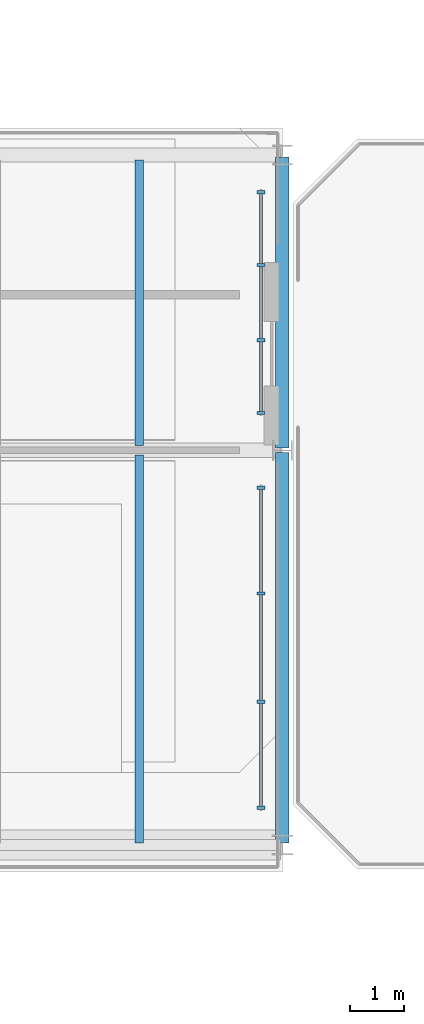
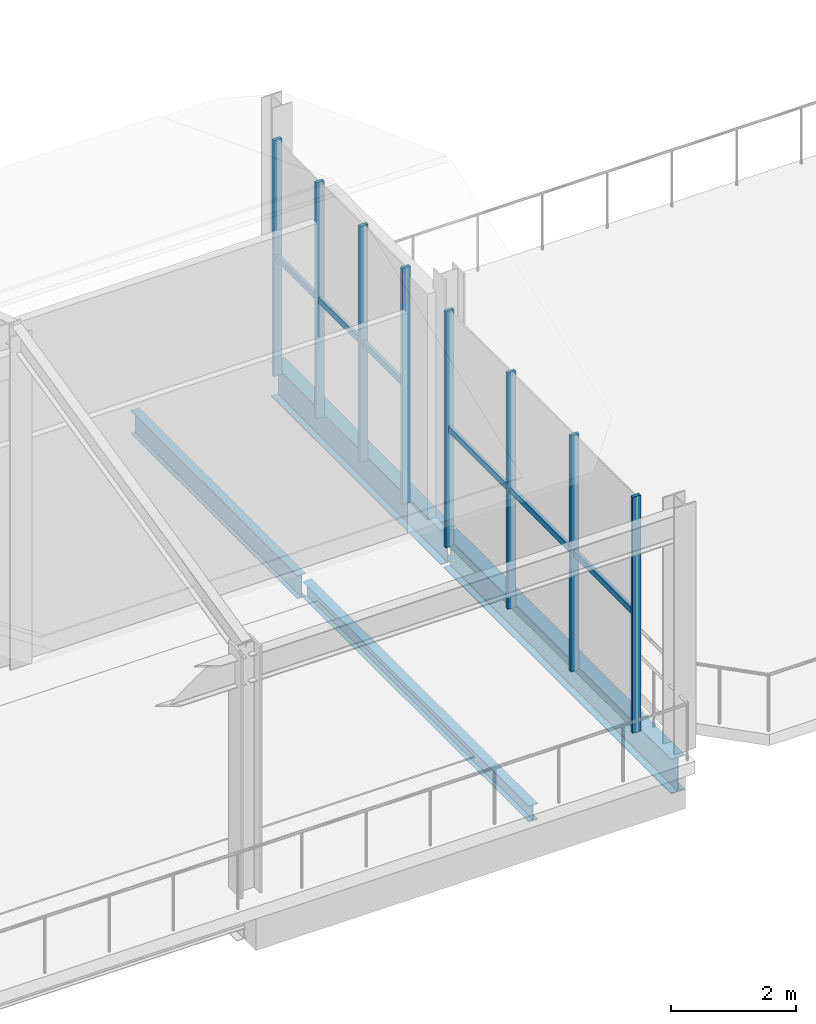
# One storey, part 17 of 30: 14 members, 4 beams, 2 elements without a shape of their own.
"""IFC4 building model written with IfcOpenShell, lengths in metres."""

from ifc_helpers import new_model, si_unit, direction, frame, origin, origin_2d, place, context, subcontext, project, spatial, rectangle, i_section, extrude, material, material_profile, profile_set, type_object, element, aggregate, save


model = new_model("IFC4")

# Units and contexts
model_context = context("Model", 3, precision=1e-05, world=origin(), true_north=direction((0.0, 1.0)))
body_context = subcontext(model_context, "Body", "Model", "MODEL_VIEW")
ifc_project = project(units=[si_unit("LENGTHUNIT", "METRE"), si_unit("AREAUNIT", "SQUARE_METRE"), si_unit("VOLUMEUNIT", "CUBIC_METRE"), si_unit("PLANEANGLEUNIT", "RADIAN"), si_unit("MASSUNIT", "GRAM", prefix="KILO")], contexts=[model_context])

# Site, building, storey
site_placement = place(None, origin())
site = spatial("IfcSite", under=ifc_project, at=site_placement, CompositionType="ELEMENT")
building_placement = place(site_placement, origin())
building = spatial("IfcBuilding", under=site, at=building_placement, Name="Brisemont Oceanarium", CompositionType="ELEMENT")
storey_placement = place(building_placement, frame((0.0, 0.0, 19.800048828125)))
storey = spatial("IfcBuildingStorey", under=building, at=storey_placement, Name="L04", CompositionType="ELEMENT", Elevation=19.800048828125)

# Beams
ifc_material_1 = material(Name="Structural Steel ASTM A992 Gr.50", Category="steel")
ifc_material_profile_1 = material_profile(ifc_material_1, i_section(OverallWidth=0.1650390625, OverallDepth=0.31005859375, WebThickness=0.005859375, FlangeThickness=0.009765625, FilletRadius=0.008056640625, at=origin_2d()), Name="W12X26")
ifc_profile_set_1 = profile_set([ifc_material_profile_1], Name="Structural Steel ASTM A992 Gr.50")
beam_type_1 = type_object("IfcBeamType", Name="BM-W12X26", PredefinedType="JOIST", material=ifc_profile_set_1)
beam_1_placement = place(storey_placement, frame((141.333251953125, 80.68994140625, -0.39501953125), z_axis=(0.0, 1.0, 0.0), x_axis=(-1.0, 0.0, 0.0)))
element("IfcBeam", 1, at=beam_1_placement, inside=storey, type_object=beam_type_1, Name="V6 L04 secondary floor beam", PredefinedType="JOIST", context=body_context, shape_type="SweptSolid", body=[
    extrude(i_section(OverallWidth=0.1650390625, OverallDepth=0.31005859375, WebThickness=0.005859375, FlangeThickness=0.009765625, FilletRadius=0.008056640625, at=origin_2d()), origin(), (0.0, 0.0, 1.0), 7.219970703125),
])
ifc_material_2 = material(Name="Structural Steel ASTM A992 Gr.50", Category="steel")
ifc_material_profile_2 = material_profile(ifc_material_2, i_section(OverallWidth=0.153076171875, OverallDepth=0.455078125, WebThickness=0.008056640625, FlangeThickness=0.01318359375, FilletRadius=0.010986328125, at=origin_2d()), Name="W18X40")
ifc_profile_set_2 = profile_set([ifc_material_profile_2], Name="Structural Steel ASTM A992 Gr.50")
beam_type_2 = type_object("IfcBeamType", Name="BM-W18X40", PredefinedType="JOIST", material=ifc_profile_set_2)
beam_2_placement = place(storey_placement, frame((141.333251953125, 88.090087890625, -0.467529296875), z_axis=(0.0, 1.0, 0.0), x_axis=(-1.0, 0.0, 0.0)))
element("IfcBeam", 2, at=beam_2_placement, inside=storey, type_object=beam_type_2, Name="V6 L04 secondary floor beam", PredefinedType="JOIST", context=body_context, shape_type="SweptSolid", body=[
    extrude(i_section(OverallWidth=0.153076171875, OverallDepth=0.455078125, WebThickness=0.008056640625, FlangeThickness=0.01318359375, FilletRadius=0.010986328125, at=origin_2d()), origin(), (0.0, 0.0, 1.0), 5.31982421875),
])
ifc_material_3 = material(Name="Structural Steel ASTM A992 Gr.50", Category="steel")
ifc_material_profile_3 = material_profile(ifc_material_3, i_section(OverallWidth=0.2529296875, OverallDepth=0.677978515625, WebThickness=0.01171875, FlangeThickness=0.016357421875, FilletRadius=0.014892578125, at=origin_2d()), Name="W27X84")
ifc_profile_set_3 = profile_set([ifc_material_profile_3], Name="Structural Steel ASTM A992 Gr.50")
beam_type_3 = type_object("IfcBeamType", Name="BM-W27X84", PredefinedType="BEAM", material=ifc_profile_set_3)
beam_3_placement = place(storey_placement, frame((144.0, 88.0400390625, -0.5791015625), z_axis=(0.0, 1.0, 0.0), x_axis=(-1.0, 0.0, 0.0)))
element("IfcBeam", 3, at=beam_3_placement, inside=storey, type_object=beam_type_3, Name="V6 L04 NS girder", PredefinedType="BEAM", context=body_context, shape_type="SweptSolid", body=[
    extrude(i_section(OverallWidth=0.2529296875, OverallDepth=0.677978515625, WebThickness=0.01171875, FlangeThickness=0.016357421875, FilletRadius=0.014892578125, at=origin_2d()), origin(), (0.0, 0.0, 1.0), 5.419921875),
])
ifc_material_4 = material(Name="Structural Steel ASTM A992 Gr.50", Category="steel")
ifc_material_profile_4 = material_profile(ifc_material_4, i_section(OverallWidth=0.25390625, OverallDepth=0.68310546875, WebThickness=0.012451171875, FlangeThickness=0.018798828125, FilletRadius=0.014892578125, at=origin_2d()), Name="W27X94")
ifc_profile_set_4 = profile_set([ifc_material_profile_4], Name="Structural Steel ASTM A992 Gr.50")
beam_type_4 = type_object("IfcBeamType", Name="BM-W27X94", PredefinedType="BEAM", material=ifc_profile_set_4)
beam_4_placement = place(storey_placement, frame((144.0, 80.68994140625, -0.58154296875), z_axis=(0.0, 1.0, 0.0), x_axis=(-1.0, 0.0, 0.0)))
element("IfcBeam", 4, at=beam_4_placement, inside=storey, type_object=beam_type_4, Name="V6 L04 NS girder", PredefinedType="BEAM", context=body_context, shape_type="SweptSolid", body=[
    extrude(i_section(OverallWidth=0.25390625, OverallDepth=0.68310546875, WebThickness=0.012451171875, FlangeThickness=0.018798828125, FilletRadius=0.014892578125, at=origin_2d()), origin(), (0.0, 0.0, 1.0), 7.27001953125),
])

# Curtain wall, members
ifc_material_5 = material(Name="Anodized Extruded Aluminum 6063-T6", Category="aluminium")
curtain_wall_type = type_object("IfcCurtainWallType", Name="CW-RES-52X41", PredefinedType="NOTDEFINED", material=ifc_material_5)
curtain_wall_1_placement = place(storey_placement, origin())
curtain_wall_1 = element("IfcCurtainWall", 5, at=curtain_wall_1_placement, inside=storey, type_object=curtain_wall_type, Name="CW-18 curtain wall CW-V6-E-L04-01", PredefinedType="NOTDEFINED")
ifc_material_6 = material(Name="Anodized Extruded Aluminum 6063-T6", Category="aluminium")
ifc_material_profile_5 = material_profile(ifc_material_6, rectangle(XDim=0.06005859375, YDim=0.14990234375, at=origin_2d()), Name="CWM-60X150")
ifc_profile_set_5 = profile_set([ifc_material_profile_5], Name="Anodized Extruded Aluminum 6063-T6")
member_type_1 = type_object("IfcMemberType", Name="MEM-CWM-60", PredefinedType="MULLION", material=ifc_profile_set_5)
member_1_placement = place(storey_placement, frame((143.60009765625, 81.344970703125, 0.0), z_axis=(0.0, 0.0, 1.0), x_axis=(0.0, 1.0, 0.0)))
member_1 = element("IfcMember", 6, at=member_1_placement, type_object=member_type_1, Name="CW-V6-E-L04-01 mullion 1", PredefinedType="MULLION", context=body_context, shape_type="SweptSolid", body=[
    extrude(rectangle(XDim=0.06005859375, YDim=0.14990234375, at=origin_2d()), origin(), (0.0, 0.0, 1.0), 4.599853515625),
])
member_2_placement = place(storey_placement, frame((143.60009765625, 83.316650390625, 0.0), z_axis=(0.0, 0.0, 1.0), x_axis=(0.0, 1.0, 0.0)))
member_2 = element("IfcMember", 7, at=member_2_placement, type_object=member_type_1, Name="CW-V6-E-L04-01 mullion 2", PredefinedType="MULLION", context=body_context, shape_type="SweptSolid", body=[
    extrude(rectangle(XDim=0.06005859375, YDim=0.14990234375, at=origin_2d()), origin(), (0.0, 0.0, 1.0), 4.599853515625),
])
member_3_placement = place(storey_placement, frame((143.60009765625, 85.333251953125, 0.0), z_axis=(0.0, 0.0, 1.0), x_axis=(0.0, 1.0, 0.0)))
member_3 = element("IfcMember", 8, at=member_3_placement, type_object=member_type_1, Name="CW-V6-E-L04-01 mullion 3", PredefinedType="MULLION", context=body_context, shape_type="SweptSolid", body=[
    extrude(rectangle(XDim=0.06005859375, YDim=0.14990234375, at=origin_2d()), origin(), (0.0, 0.0, 1.0), 4.599853515625),
])
member_4_placement = place(storey_placement, frame((143.60009765625, 87.304931640625, 0.0), z_axis=(0.0, 0.0, 1.0), x_axis=(0.0, 1.0, 0.0)))
member_4 = element("IfcMember", 9, at=member_4_placement, type_object=member_type_1, Name="CW-V6-E-L04-01 mullion 4", PredefinedType="MULLION", context=body_context, shape_type="SweptSolid", body=[
    extrude(rectangle(XDim=0.06005859375, YDim=0.14990234375, at=origin_2d()), origin(), (0.0, 0.0, 1.0), 4.599853515625),
])

curtain_wall_2_placement = place(storey_placement, origin())
curtain_wall_2 = element("IfcCurtainWall", 10, at=curtain_wall_2_placement, inside=storey, type_object=curtain_wall_type, Name="CW-18 curtain wall CW-V6-E-L04-02", PredefinedType="NOTDEFINED")
member_5_placement = place(storey_placement, frame((143.60009765625, 88.695068359375, 0.0), z_axis=(0.0, 0.0, 1.0), x_axis=(0.0, 1.0, 0.0)))
member_5 = element("IfcMember", 11, at=member_5_placement, type_object=member_type_1, Name="CW-V6-E-L04-02 mullion 1", PredefinedType="MULLION", context=body_context, shape_type="SweptSolid", body=[
    extrude(rectangle(XDim=0.06005859375, YDim=0.14990234375, at=origin_2d()), origin(), (0.0, 0.0, 1.0), 4.599853515625),
])
member_6_placement = place(storey_placement, frame((143.60009765625, 90.050048828125, 0.0), z_axis=(0.0, 0.0, 1.0), x_axis=(0.0, 1.0, 0.0)))
member_6 = element("IfcMember", 12, at=member_6_placement, type_object=member_type_1, Name="CW-V6-E-L04-02 mullion 2", PredefinedType="MULLION", context=body_context, shape_type="SweptSolid", body=[
    extrude(rectangle(XDim=0.06005859375, YDim=0.14990234375, at=origin_2d()), origin(), (0.0, 0.0, 1.0), 4.599853515625),
])
member_7_placement = place(storey_placement, frame((143.60009765625, 91.449951171875, 0.0), z_axis=(0.0, 0.0, 1.0), x_axis=(0.0, 1.0, 0.0)))
member_7 = element("IfcMember", 13, at=member_7_placement, type_object=member_type_1, Name="CW-V6-E-L04-02 mullion 3", PredefinedType="MULLION", context=body_context, shape_type="SweptSolid", body=[
    extrude(rectangle(XDim=0.06005859375, YDim=0.14990234375, at=origin_2d()), origin(), (0.0, 0.0, 1.0), 4.599853515625),
])
member_8_placement = place(storey_placement, frame((143.60009765625, 92.804931640625, 0.0), z_axis=(0.0, 0.0, 1.0), x_axis=(0.0, 1.0, 0.0)))
member_8 = element("IfcMember", 14, at=member_8_placement, type_object=member_type_1, Name="CW-V6-E-L04-02 mullion 4", PredefinedType="MULLION", context=body_context, shape_type="SweptSolid", body=[
    extrude(rectangle(XDim=0.06005859375, YDim=0.14990234375, at=origin_2d()), origin(), (0.0, 0.0, 1.0), 4.599853515625),
])

# Member
ifc_material_7 = material(Name="Anodized Extruded Aluminum 6063-T6", Category="aluminium")
ifc_material_profile_6 = material_profile(ifc_material_7, rectangle(XDim=0.06005859375, YDim=0.1201171875, at=origin_2d()), Name="CWT-60X120")
ifc_profile_set_6 = profile_set([ifc_material_profile_6], Name="Anodized Extruded Aluminum 6063-T6")
member_type_2 = type_object("IfcMemberType", Name="MEM-CWT-60", PredefinedType="USERDEFINED", material=ifc_profile_set_6)
member_9_placement = place(storey_placement, frame((143.60009765625, 81.31494140625, 2.300048828125), z_axis=(0.0, 1.0, 0.0), x_axis=(-1.0, 0.0, 0.0)))
member_9 = element("IfcMember", 15, at=member_9_placement, type_object=member_type_2, Name="CW-V6-E-L04-01 transom 1.1", ObjectType="TRANSOM", PredefinedType="USERDEFINED", context=body_context, shape_type="SweptSolid", body=[
    extrude(rectangle(XDim=0.06005859375, YDim=0.1201171875, at=origin_2d()), origin(), (0.0, 0.0, 1.0), 1.98681640625),
])

member_10_placement = place(storey_placement, frame((143.60009765625, 83.331787109375, 2.300048828125), z_axis=(0.0, 1.0, 0.0), x_axis=(-1.0, 0.0, 0.0)))
member_10 = element("IfcMember", 16, at=member_10_placement, type_object=member_type_2, Name="CW-V6-E-L04-01 transom 2.1", ObjectType="TRANSOM", PredefinedType="USERDEFINED", context=body_context, shape_type="SweptSolid", body=[
    extrude(rectangle(XDim=0.06005859375, YDim=0.1201171875, at=origin_2d()), origin(), (0.0, 0.0, 1.0), 1.986572265625),
])

member_11_placement = place(storey_placement, frame((143.60009765625, 85.348388671875, 2.300048828125), z_axis=(0.0, 1.0, 0.0), x_axis=(-1.0, 0.0, 0.0)))
member_11 = element("IfcMember", 17, at=member_11_placement, type_object=member_type_2, Name="CW-V6-E-L04-01 transom 3.1", ObjectType="TRANSOM", PredefinedType="USERDEFINED", context=body_context, shape_type="SweptSolid", body=[
    extrude(rectangle(XDim=0.06005859375, YDim=0.1201171875, at=origin_2d()), origin(), (0.0, 0.0, 1.0), 1.986572265625),
])

aggregate(curtain_wall_1, [member_1, member_2, member_3, member_4, member_9, member_10, member_11])

member_12_placement = place(storey_placement, frame((143.60009765625, 88.6650390625, 2.300048828125), z_axis=(0.0, 1.0, 0.0), x_axis=(-1.0, 0.0, 0.0)))
member_12 = element("IfcMember", 18, at=member_12_placement, type_object=member_type_2, Name="CW-V6-E-L04-02 transom 1.1", ObjectType="TRANSOM", PredefinedType="USERDEFINED", context=body_context, shape_type="SweptSolid", body=[
    extrude(rectangle(XDim=0.06005859375, YDim=0.1201171875, at=origin_2d()), origin(), (0.0, 0.0, 1.0), 1.369873046875),
])

member_13_placement = place(storey_placement, frame((143.60009765625, 90.06494140625, 2.300048828125), z_axis=(0.0, 1.0, 0.0), x_axis=(-1.0, 0.0, 0.0)))
member_13 = element("IfcMember", 19, at=member_13_placement, type_object=member_type_2, Name="CW-V6-E-L04-02 transom 2.1", ObjectType="TRANSOM", PredefinedType="USERDEFINED", context=body_context, shape_type="SweptSolid", body=[
    extrude(rectangle(XDim=0.06005859375, YDim=0.1201171875, at=origin_2d()), origin(), (0.0, 0.0, 1.0), 1.3701171875),
])

member_14_placement = place(storey_placement, frame((143.60009765625, 91.465087890625, 2.300048828125), z_axis=(0.0, 1.0, 0.0), x_axis=(-1.0, 0.0, 0.0)))
member_14 = element("IfcMember", 20, at=member_14_placement, type_object=member_type_2, Name="CW-V6-E-L04-02 transom 3.1", ObjectType="TRANSOM", PredefinedType="USERDEFINED", context=body_context, shape_type="SweptSolid", body=[
    extrude(rectangle(XDim=0.06005859375, YDim=0.1201171875, at=origin_2d()), origin(), (0.0, 0.0, 1.0), 1.369873046875),
])

aggregate(curtain_wall_2, [member_5, member_6, member_7, member_8, member_12, member_13, member_14])

save(model, "model.ifc")
